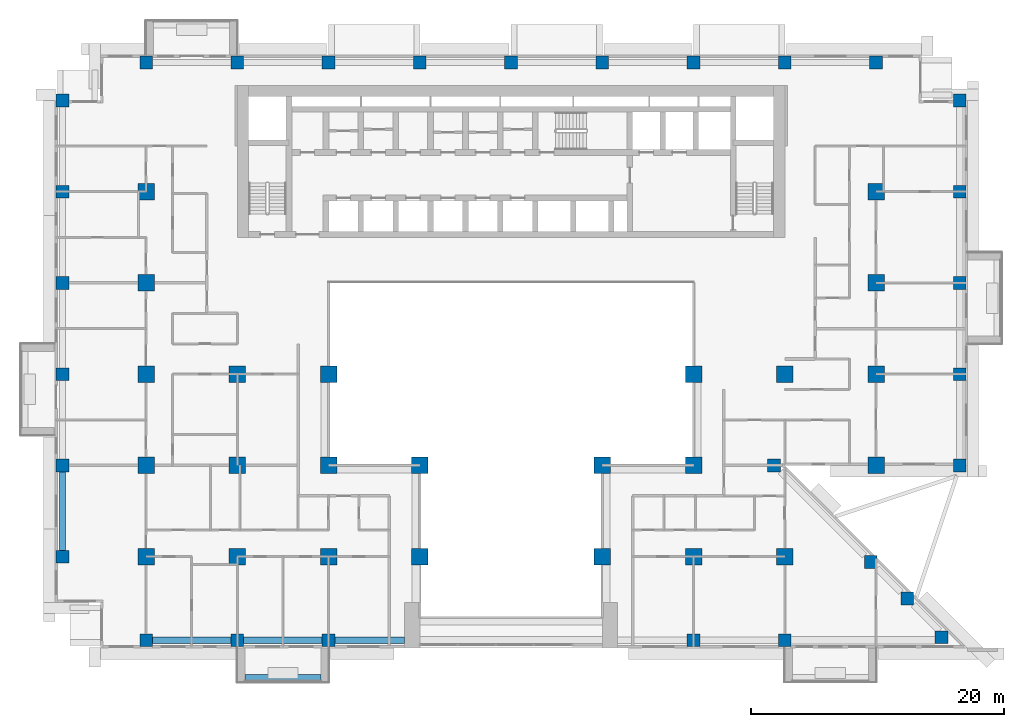
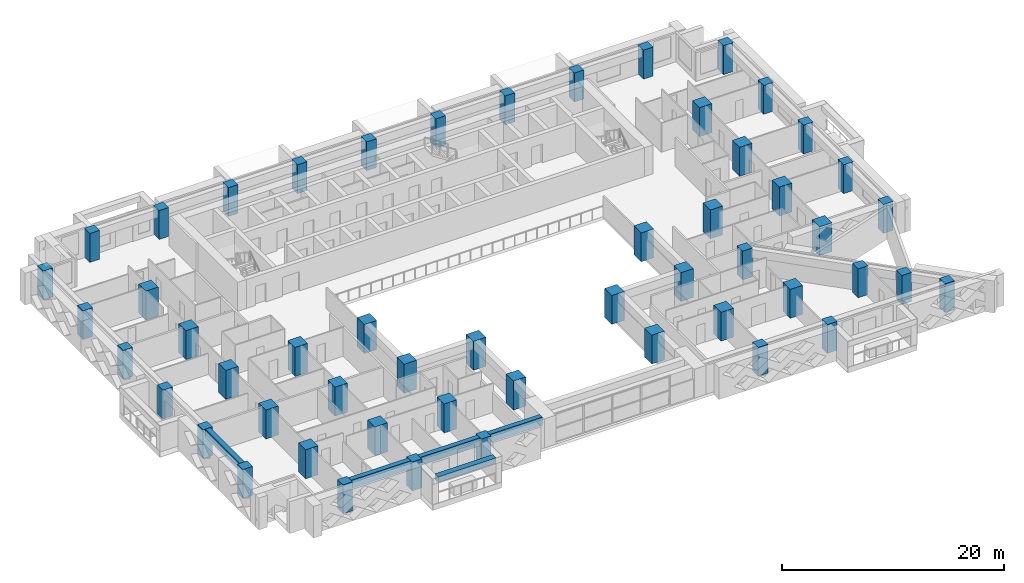
# One storey, part 1 of 16: 53 columns, 5 beams.
"""IFC4 building model written with IfcOpenShell, lengths in metres."""

from ifc_helpers import new_model, si_unit, direction, frame, origin, origin_2d, place, context, subcontext, project, spatial, rectangle, extrude, source, transform, mapped, material, material_profile, profile_set, type_object, element, save


model = new_model("IFC4")

# Units and contexts
model_context = context("Model", 3, precision=1e-05, world=origin(), true_north=direction((0.0, 1.0)))
body_context = subcontext(model_context, "Body", "Model", "MODEL_VIEW")
ifc_project = project(units=[si_unit("LENGTHUNIT", "METRE"), si_unit("AREAUNIT", "SQUARE_METRE"), si_unit("VOLUMEUNIT", "CUBIC_METRE"), si_unit("PLANEANGLEUNIT", "RADIAN"), si_unit("MASSUNIT", "GRAM", prefix="KILO")], contexts=[model_context])

# Site, building, storey
site_placement = place(None, origin())
site = spatial("IfcSite", under=ifc_project, at=site_placement, CompositionType="ELEMENT")
building_placement = place(site_placement, origin())
building = spatial("IfcBuilding", under=site, at=building_placement, Name="Saffron Iwan Residences", CompositionType="ELEMENT")
storey_placement = place(building_placement, frame((0.0, 0.0, 83.0)))
storey = spatial("IfcBuildingStorey", under=building, at=storey_placement, Name="L21", CompositionType="ELEMENT", Elevation=83.0)

# Columns
ifc_material_1 = material(Name="Concrete C60/75", Category="concrete")
ifc_material_profile_1 = material_profile(ifc_material_1, rectangle(XDim=1.0, YDim=1.0, at=origin_2d()), Name="RC 1000x1000")
ifc_profile_set_1 = profile_set([ifc_material_profile_1], Name="Concrete C60/75")
column_type_1 = type_object("IfcColumnType", Name="COL RC 1000x1000 C60/75 3180 HIGH", PredefinedType="COLUMN", material=ifc_profile_set_1)
shared_shape_1 = source(origin(), body_context, "Body", "SweptSolid", [
    extrude(rectangle(XDim=1.0, YDim=1.0, at=origin_2d()), origin(), (0.0, 0.0, 1.0), 3.179931640625),
])
for number, where, z_axis, x_axis, name in (
    (1, (21.60009765625, 34.199951171875, 0.0), (0.0, 0.0, 1.0), (1.0, 0.0, 0.0), "Column C038"),
    (2, (28.800048828125, 34.199951171875, 0.0), (0.0, 0.0, 1.0), (1.0, 0.0, 0.0), "Column C039"),
    (3, (36.0, 34.199951171875, 0.0), (0.0, 0.0, 1.0), (1.0, 0.0, 0.0), "Column C040"),
    (4, (64.800048828125, 34.199951171875, 0.0), (0.0, 0.0, 1.0), (1.0, 0.0, 0.0), "Column C041"),
    (5, (72.0, 34.199951171875, 0.0), (0.0, 0.0, 1.0), (1.0, 0.0, 0.0), "Column C042"),
    (6, (84.367431640625, 34.44189453125, 0.0), (0.0, 0.0, 1.0), (1.0, 0.0, 0.0), "Column C043"),
    (7, (81.65576171875, 37.49560546875, 0.0), (0.0, 0.0, 1.0), (1.0, 0.0, 0.0), "Column C044"),
    (8, (78.775634765625, 40.375732421875, 0.0), (0.0, 0.0, 1.0), (1.0, 0.0, 0.0), "Column C047"),
    (9, (15.0, 40.800048828125, 0.0), (0.0, 0.0, 1.0), (1.0, 0.0, 0.0), "Column C048"),
    (10, (15.0, 48.0, 0.0), (0.0, 0.0, 1.0), (1.0, 0.0, 0.0), "Column C061"),
    (11, (71.14990234375, 48.0, 0.0), (0.0, 0.0, 1.0), (1.0, 0.0, 0.0), "Column C070"),
    (12, (85.800048828125, 48.0, 0.0), (0.0, 0.0, 1.0), (1.0, 0.0, 0.0), "Column C074"),
    (13, (15.0, 55.199951171875, 0.0), (0.0, 0.0, 1.0), (1.0, 0.0, 0.0), "Column C077"),
    (14, (85.800048828125, 55.199951171875, 0.0), (0.0, 0.0, 1.0), (1.0, 0.0, 0.0), "Column C086"),
    (15, (15.0, 62.39990234375, 0.0), (0.0, 0.0, 1.0), (1.0, 0.0, 0.0), "Column C089"),
    (16, (85.800048828125, 62.39990234375, 0.0), (0.0, 0.0, 1.0), (1.0, 0.0, 0.0), "Column C094"),
    (17, (15.0, 69.60009765625, 0.0), (0.0, 0.0, 1.0), (1.0, 0.0, 0.0), "Column C097"),
    (18, (85.800048828125, 69.60009765625, 0.0), (0.0, 0.0, 1.0), (1.0, 0.0, 0.0), "Column C102"),
    (19, (15.0, 76.800048828125, 0.0), (0.0, 0.0, 1.0), (1.0, 0.0, 0.0), "Column C105"),
    (20, (85.800048828125, 76.800048828125, 0.0), (0.0, 0.0, 1.0), (1.0, 0.0, 0.0), "Column C110"),
    (21, (21.60009765625, 79.800048828125, 0.0), (0.0, 0.0, 1.0), (1.0, 0.0, 0.0), "Column C113"),
    (22, (28.800048828125, 79.800048828125, 0.0), (0.0, 0.0, 1.0), (1.0, 0.0, 0.0), "Column C115"),
    (23, (36.0, 79.800048828125, 0.0), (0.0, 0.0, 1.0), (1.0, 0.0, 0.0), "Column C116"),
    (24, (43.199951171875, 79.800048828125, 0.0), (0.0, 0.0, 1.0), (1.0, 0.0, 0.0), "Column C117"),
    (25, (50.39990234375, 79.800048828125, 0.0), (0.0, 0.0, 1.0), (1.0, 0.0, 0.0), "Column C118"),
    (26, (57.60009765625, 79.800048828125, 0.0), (0.0, 0.0, 1.0), (1.0, 0.0, 0.0), "Column C119"),
    (27, (64.800048828125, 79.800048828125, 0.0), (0.0, 0.0, 1.0), (1.0, 0.0, 0.0), "Column C120"),
    (28, (72.0, 79.800048828125, 0.0), (0.0, 0.0, 1.0), (1.0, 0.0, 0.0), "Column C121"),
    (29, (79.199951171875, 79.800048828125, 0.0), (0.0, 0.0, 1.0), (1.0, 0.0, 0.0), "Column C123"),
):
    element("IfcColumn", number, at=place(storey_placement, frame(where, z_axis=z_axis, x_axis=x_axis)), inside=storey, type_object=column_type_1, Name=name, PredefinedType="COLUMN", context=body_context, shape_type="MappedRepresentation", body=[
        mapped(shared_shape_1, transform((0.0, 0.0, 0.0))),
    ])
ifc_material_profile_2 = material_profile(ifc_material_1, rectangle(XDim=1.300048828125, YDim=1.300048828125, at=origin_2d()), Name="RC 1300x1300")
ifc_profile_set_2 = profile_set([ifc_material_profile_2], Name="Concrete C60/75")
column_type_2 = type_object("IfcColumnType", Name="COL RC 1300x1300 C60/75 3180 HIGH", PredefinedType="COLUMN", material=ifc_profile_set_2)
shared_shape_2 = source(origin(), body_context, "Body", "SweptSolid", [
    extrude(rectangle(XDim=1.300048828125, YDim=1.300048828125, at=origin_2d()), origin(), (0.0, 0.0, 1.0), 3.179931640625),
])
for number, where, z_axis, x_axis, name in (
    (30, (21.60009765625, 40.800048828125, 0.0), (0.0, 0.0, 1.0), (1.0, 0.0, 0.0), "Column C049"),
    (31, (28.800048828125, 40.800048828125, 0.0), (0.0, 0.0, 1.0), (1.0, 0.0, 0.0), "Column C051"),
    (32, (36.0, 40.800048828125, 0.0), (0.0, 0.0, 1.0), (1.0, 0.0, 0.0), "Column C052"),
    (33, (43.199951171875, 40.800048828125, 0.0), (0.0, 0.0, 1.0), (1.0, 0.0, 0.0), "Column C053"),
    (34, (57.60009765625, 40.800048828125, 0.0), (0.0, 0.0, 1.0), (1.0, 0.0, 0.0), "Column C054"),
    (35, (64.800048828125, 40.800048828125, 0.0), (0.0, 0.0, 1.0), (1.0, 0.0, 0.0), "Column C055"),
    (36, (72.0, 40.800048828125, 0.0), (0.0, 0.0, 1.0), (1.0, 0.0, 0.0), "Column C056"),
    (37, (21.60009765625, 48.0, 0.0), (0.0, 0.0, 1.0), (1.0, 0.0, 0.0), "Column C063"),
    (38, (28.800048828125, 48.0, 0.0), (0.0, 0.0, 1.0), (1.0, 0.0, 0.0), "Column C064"),
    (39, (36.0, 48.0, 0.0), (0.0, 0.0, 1.0), (1.0, 0.0, 0.0), "Column C065"),
    (40, (43.199951171875, 48.0, 0.0), (0.0, 0.0, 1.0), (1.0, 0.0, 0.0), "Column C066"),
    (41, (57.60009765625, 48.0, 0.0), (0.0, 0.0, 1.0), (1.0, 0.0, 0.0), "Column C068"),
    (42, (64.800048828125, 48.0, 0.0), (0.0, 0.0, 1.0), (1.0, 0.0, 0.0), "Column C069"),
    (43, (79.199951171875, 48.0, 0.0), (0.0, 0.0, 1.0), (1.0, 0.0, 0.0), "Column C072"),
    (44, (21.60009765625, 55.199951171875, 0.0), (0.0, 0.0, 1.0), (1.0, 0.0, 0.0), "Column C079"),
    (45, (28.800048828125, 55.199951171875, 0.0), (0.0, 0.0, 1.0), (1.0, 0.0, 0.0), "Column C080"),
    (46, (36.0, 55.199951171875, 0.0), (0.0, 0.0, 1.0), (1.0, 0.0, 0.0), "Column C081"),
    (47, (64.800048828125, 55.199951171875, 0.0), (0.0, 0.0, 1.0), (1.0, 0.0, 0.0), "Column C082"),
    (48, (72.0, 55.199951171875, 0.0), (0.0, 0.0, 1.0), (1.0, 0.0, 0.0), "Column C083"),
    (49, (79.199951171875, 55.199951171875, 0.0), (0.0, 0.0, 1.0), (1.0, 0.0, 0.0), "Column C084"),
    (50, (21.60009765625, 62.39990234375, 0.0), (0.0, 0.0, 1.0), (1.0, 0.0, 0.0), "Column C091"),
    (51, (79.199951171875, 62.39990234375, 0.0), (0.0, 0.0, 1.0), (1.0, 0.0, 0.0), "Column C092"),
    (52, (21.60009765625, 69.60009765625, 0.0), (0.0, 0.0, 1.0), (1.0, 0.0, 0.0), "Column C099"),
    (53, (79.199951171875, 69.60009765625, 0.0), (0.0, 0.0, 1.0), (1.0, 0.0, 0.0), "Column C100"),
):
    element("IfcColumn", number, at=place(storey_placement, frame(where, z_axis=z_axis, x_axis=x_axis)), inside=storey, type_object=column_type_2, Name=name, PredefinedType="COLUMN", context=body_context, shape_type="MappedRepresentation", body=[
        mapped(shared_shape_2, transform((0.0, 0.0, 0.0))),
    ])

# Beams
ifc_material_profile_3 = material_profile(ifc_material_1, rectangle(XDim=0.5, YDim=0.89990234375, at=origin_2d()), Name="RC 500x900")
ifc_profile_set_3 = profile_set([ifc_material_profile_3], Name="Concrete C60/75")
beam_type_1 = type_object("IfcBeamType", Name="SPANDREL BEAM RC 500x900 C60/75 TOP 3180", PredefinedType="SPANDREL", material=ifc_profile_set_3)
shared_shape_3 = source(origin(), body_context, "Body", "SweptSolid", [
    extrude(rectangle(XDim=0.5, YDim=0.89990234375, at=origin_2d()), origin(), (0.0, 0.0, 1.0), 6.199951171875),
])
for number, where, z_axis, x_axis, name in (
    (54, (28.300048828125, 34.199951171875, 2.72998046875), (-1.0, 0.0, 0.0), (0.0, -1.0, 0.0), "Spandrel beam"),
    (55, (35.5, 34.199951171875, 2.72998046875), (-1.0, 0.0, 0.0), (0.0, -1.0, 0.0), "Spandrel beam"),
    (56, (15.0, 41.300048828125, 2.72998046875), (0.0, 1.0, 0.0), (-1.0, 0.0, 0.0), "Spandrel beam"),
):
    element("IfcBeam", number, at=place(storey_placement, frame(where, z_axis=z_axis, x_axis=x_axis)), inside=storey, type_object=beam_type_1, Name=name, PredefinedType="SPANDREL", context=body_context, shape_type="MappedRepresentation", body=[
        mapped(shared_shape_3, transform((0.0, 0.0, 0.0))),
    ])
shared_shape_4 = source(origin(), body_context, "Body", "SweptSolid", [
    extrude(rectangle(XDim=0.5, YDim=0.89990234375, at=origin_2d()), origin(), (0.0, 0.0, 1.0), 5.5),
])
beam_1_placement = place(storey_placement, frame((42.0, 34.199951171875, 2.72998046875), z_axis=(-1.0, 0.0, 0.0), x_axis=(0.0, -1.0, 0.0)))
element("IfcBeam", 57, at=beam_1_placement, inside=storey, type_object=beam_type_1, Name="Spandrel beam", PredefinedType="SPANDREL", context=body_context, shape_type="MappedRepresentation", body=[
    mapped(shared_shape_4, transform((0.0, 0.0, 0.0))),
])
ifc_material_2 = material(Name="Concrete C50/60 white painted", Category="concrete")
ifc_material_profile_4 = material_profile(ifc_material_2, rectangle(XDim=0.60009765625, YDim=0.60009765625, at=origin_2d()), Name="BALCONY FASCIA BEAM 600 x 600")
ifc_profile_set_4 = profile_set([ifc_material_profile_4], Name="Concrete C50/60 white painted")
beam_type_2 = type_object("IfcBeamType", Name="BALCONY FASCIA BEAM 600 x 600", PredefinedType="BEAM", material=ifc_profile_set_4)
shared_shape_5 = source(origin(), body_context, "Body", "SweptSolid", [
    extrude(rectangle(XDim=0.60009765625, YDim=0.60009765625, at=origin_2d()), origin(), (0.0, 0.0, 1.0), 6.0),
])
beam_2_placement = place(storey_placement, frame((29.39990234375, 31.199951171875, 2.550048828125), z_axis=(1.0, 0.0, 0.0), x_axis=(0.0, 1.0, 0.0)))
element("IfcBeam", 58, at=beam_2_placement, inside=storey, type_object=beam_type_2, Name="Balcony fascia beam L21 11-0", PredefinedType="BEAM", context=body_context, shape_type="MappedRepresentation", body=[
    mapped(shared_shape_5, transform((0.0, 0.0, 0.0))),
])

save(model, "model.ifc")
